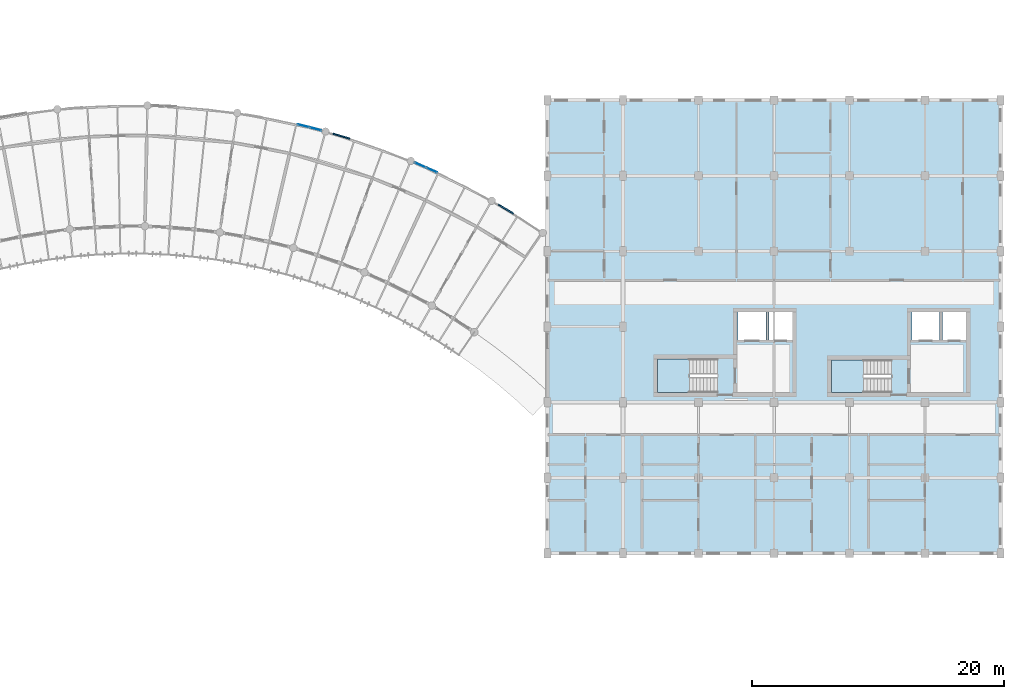
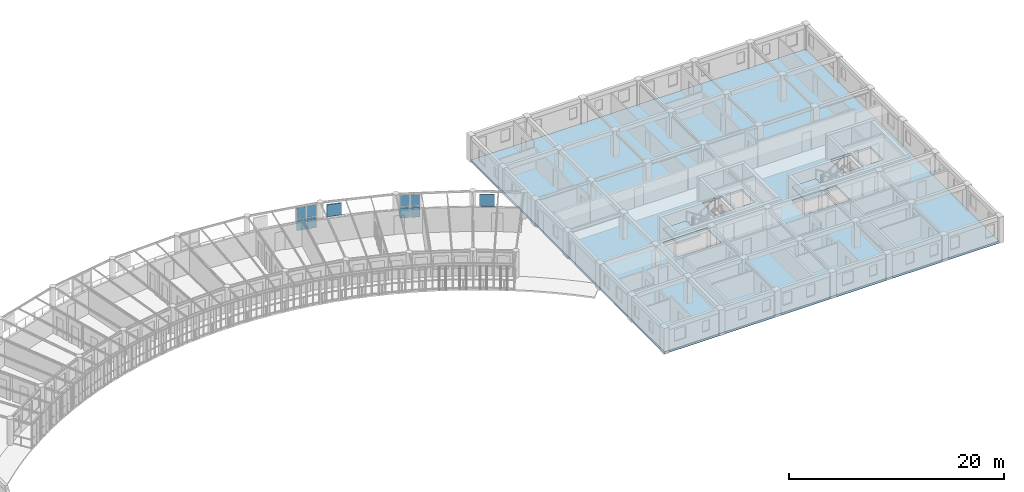
# One storey, part 51 of 100: 10 plates, 3 slabs, 4 elements without a shape of their own.
"""IFC4 building model written with IfcOpenShell, lengths in metres."""

from ifc_helpers import new_model, si_unit, direction, frame, origin, origin_2d, place, context, subcontext, project, spatial, polyline, rectangle, outline, extrude, material, layer, layer_set, type_object, element, aggregate, save


model = new_model("IFC4")

# Units and contexts
model_context = context("Model", 3, precision=1e-05, world=origin(), true_north=direction((0.0, 1.0)))
body_context = subcontext(model_context, "Body", "Model", "MODEL_VIEW")
ifc_project = project(units=[si_unit("LENGTHUNIT", "METRE"), si_unit("AREAUNIT", "SQUARE_METRE"), si_unit("VOLUMEUNIT", "CUBIC_METRE"), si_unit("PLANEANGLEUNIT", "RADIAN"), si_unit("MASSUNIT", "GRAM", prefix="KILO"), si_unit("POWERUNIT", "WATT"), si_unit("THERMODYNAMICTEMPERATUREUNIT", "KELVIN")], contexts=[model_context])

# Site, building, storey
site_placement = place(None, origin())
site = spatial("IfcSite", under=ifc_project, at=site_placement, CompositionType="ELEMENT")
building_placement = place(site_placement, origin())
building = spatial("IfcBuilding", under=site, at=building_placement, Name="Ruvembo Vaulted Housing Court", CompositionType="ELEMENT")
storey_placement = place(building_placement, frame((0.0, 0.0, 14.10009765625)))
storey = spatial("IfcBuildingStorey", under=building, at=storey_placement, Name="L04", CompositionType="ELEMENT", Elevation=14.10009765625)

# Curtain wall, plates
ifc_material_1 = material(Name="Anodised Aluminium and Solar-Control Glass", Category="aluminium")
ifc_layer_1 = layer(ifc_material_1, 0.139892578125, Name="Anodised Aluminium and Solar-Control Glass")
ifc_layer_set_1 = layer_set([ifc_layer_1], Name="Anodised Aluminium and Solar-Control Glass")
curtain_wall_type = type_object("IfcCurtainWallType", Name="CW-SCOOP-PAN", PredefinedType="NOTDEFINED", material=ifc_layer_set_1)
curtain_wall_1_placement = place(storey_placement, origin())
curtain_wall_1 = element("IfcCurtainWall", 1, at=curtain_wall_1_placement, inside=storey, type_object=curtain_wall_type, Name="L04 Curtain Wall CW-L04-0081", PredefinedType="NOTDEFINED")
ifc_material_2 = material(Name="Solar-Control Laminated Insulating Glass", Category="glass")
ifc_layer_2 = layer(ifc_material_2, 0.035888671875, Name="Solar-Control Laminated Insulating Glass")
ifc_layer_set_2 = layer_set([ifc_layer_2], Name="Solar-Control Laminated Insulating Glass")
plate_type_1 = type_object("IfcPlateType", Name="CW-PANEL-ACOUST", PredefinedType="CURTAIN_PANEL", material=ifc_layer_set_2)
plate_1_placement = place(storey_placement, frame((130.593994140625, 105.963623046875, 0.06005859375), z_axis=(0.0, 0.0, 1.0), x_axis=(0.969139966406, -0.246511106269, 0.0)))
plate_1 = element("IfcPlate", 2, at=plate_1_placement, type_object=plate_type_1, Name="CW10 panel 1.1", PredefinedType="CURTAIN_PANEL", context=body_context, shape_type="SweptSolid", body=[
    extrude(rectangle(XDim=0.930419921875, YDim=0.035888671875, at=origin_2d()), origin(), (0.0, 0.0, 1.0), 1.259033203125),
])
plate_2_placement = place(storey_placement, frame((130.593994140625, 105.963623046875, 1.37890625), z_axis=(0.0, 0.0, 1.0), x_axis=(0.969139966406, -0.246511106269, 0.0)))
plate_2 = element("IfcPlate", 3, at=plate_2_placement, type_object=plate_type_1, Name="CW10 panel 1.2", PredefinedType="CURTAIN_PANEL", context=body_context, shape_type="SweptSolid", body=[
    extrude(rectangle(XDim=0.930419921875, YDim=0.035888671875, at=origin_2d()), origin(), (0.0, 0.0, 1.0), 1.259033203125),
])
plate_3_placement = place(storey_placement, frame((131.553955078125, 105.719482421875, 0.06005859375), z_axis=(0.0, 0.0, 1.0), x_axis=(0.969139966406, -0.246511106269, 0.0)))
plate_3 = element("IfcPlate", 4, at=plate_3_placement, type_object=plate_type_1, Name="CW10 panel 2.1", PredefinedType="CURTAIN_PANEL", context=body_context, shape_type="SweptSolid", body=[
    extrude(rectangle(XDim=0.930419921875, YDim=0.035888671875, at=origin_2d()), origin(), (0.0, 0.0, 1.0), 1.259033203125),
])
plate_4_placement = place(storey_placement, frame((131.553955078125, 105.719482421875, 1.37890625), z_axis=(0.0, 0.0, 1.0), x_axis=(0.969139966406, -0.246511106269, 0.0)))
plate_4 = element("IfcPlate", 5, at=plate_4_placement, type_object=plate_type_1, Name="CW10 panel 2.2", PredefinedType="CURTAIN_PANEL", context=body_context, shape_type="SweptSolid", body=[
    extrude(rectangle(XDim=0.930419921875, YDim=0.035888671875, at=origin_2d()), origin(), (0.0, 0.0, 1.0), 1.259033203125),
])
aggregate(curtain_wall_1, [plate_1, plate_2, plate_3, plate_4])

curtain_wall_2_placement = place(storey_placement, origin())
curtain_wall_2 = element("IfcCurtainWall", 6, at=curtain_wall_2_placement, inside=storey, type_object=curtain_wall_type, Name="L04 Curtain Wall CW-L04-0082", PredefinedType="NOTDEFINED")
ifc_layer_3 = layer(ifc_material_2, 0.031982421875, Name="Solar-Control Laminated Insulating Glass")
ifc_layer_set_3 = layer_set([ifc_layer_3], Name="Solar-Control Laminated Insulating Glass")
plate_type_2 = type_object("IfcPlateType", Name="CW-PANEL-SOLAR", PredefinedType="CURTAIN_PANEL", material=ifc_layer_set_3)
plate_5_placement = place(storey_placement, frame((139.88671875, 102.845703125, 0.06494140625), z_axis=(0.0, 0.0, 1.0), x_axis=(0.915080056505, -0.403272228386, 0.0)))
plate_5 = element("IfcPlate", 7, at=plate_5_placement, type_object=plate_type_2, Name="CW10 panel 1.1", PredefinedType="CURTAIN_PANEL", context=body_context, shape_type="SweptSolid", body=[
    extrude(rectangle(XDim=0.9228515625, YDim=0.031982421875, at=origin_2d()), origin(), (0.0, 0.0, 1.0), 1.25146484375),
])
plate_6_placement = place(storey_placement, frame((139.88671875, 102.845703125, 1.38134765625), z_axis=(0.0, 0.0, 1.0), x_axis=(0.915080056505, -0.403272228386, 0.0)))
plate_6 = element("IfcPlate", 8, at=plate_6_placement, type_object=plate_type_2, Name="CW10 panel 1.2", PredefinedType="CURTAIN_PANEL", context=body_context, shape_type="SweptSolid", body=[
    extrude(rectangle(XDim=0.9228515625, YDim=0.031982421875, at=origin_2d()), origin(), (0.0, 0.0, 1.0), 1.25146484375),
])
plate_7_placement = place(storey_placement, frame((140.790771484375, 102.447265625, 0.06494140625), z_axis=(0.0, 0.0, 1.0), x_axis=(0.915080056505, -0.403272228386, 0.0)))
plate_7 = element("IfcPlate", 9, at=plate_7_placement, type_object=plate_type_2, Name="CW10 panel 2.1", PredefinedType="CURTAIN_PANEL", context=body_context, shape_type="SweptSolid", body=[
    extrude(rectangle(XDim=0.9228515625, YDim=0.031982421875, at=origin_2d()), origin(), (0.0, 0.0, 1.0), 1.25146484375),
])
plate_8_placement = place(storey_placement, frame((140.790771484375, 102.447265625, 1.38134765625), z_axis=(0.0, 0.0, 1.0), x_axis=(0.915080056505, -0.403272228386, 0.0)))
plate_8 = element("IfcPlate", 10, at=plate_8_placement, type_object=plate_type_2, Name="CW10 panel 2.2", PredefinedType="CURTAIN_PANEL", context=body_context, shape_type="SweptSolid", body=[
    extrude(rectangle(XDim=0.9228515625, YDim=0.031982421875, at=origin_2d()), origin(), (0.0, 0.0, 1.0), 1.25146484375),
])
aggregate(curtain_wall_2, [plate_5, plate_6, plate_7, plate_8])

# Plates
ifc_material_3 = material(Name="Perforated Glazed Ceramic Cobogo Block", Category="ceramic")
ifc_layer_4 = layer(ifc_material_3, 0.1201171875, Name="Perforated Glazed Ceramic Cobogo Block")
ifc_layer_set_4 = layer_set([ifc_layer_4], Name="Perforated Glazed Ceramic Cobogo Block")
plate_type_3 = type_object("IfcPlateType", Name="PL-COBOGO-120", PredefinedType="USERDEFINED", material=ifc_layer_set_4)
for number, where, z_axis, x_axis, name in (
    (11, (133.61865234375, 105.1376953125, 1.11962890625), (0.0, 0.0, 1.0), (0.958077900113, -0.286507831158, 0.0), "Scoop SC3 L04 Ceramic Cobogo Screen #101"),
    (12, (146.697265625, 99.340087890625, 1.11962890625), (0.0, 0.0, 1.0), (0.857894561819, -0.513825768915, 0.0), "Scoop SC3 L04 Ceramic Cobogo Screen #102"),
):
    element("IfcPlate", number, at=place(storey_placement, frame(where, z_axis=z_axis, x_axis=x_axis)), inside=storey, type_object=plate_type_3, Name=name, ObjectType="COBOGO_PANEL", PredefinedType="USERDEFINED", context=body_context, shape_type="SweptSolid", body=[
        extrude(rectangle(XDim=1.39990234375, YDim=0.1201171875, at=origin_2d()), origin(), (0.0, 0.0, 1.0), 1.360107421875),
    ])

# Slab
ifc_material_4 = material(Name="Concrete C30/37", Category="concrete")
ifc_layer_5 = layer(ifc_material_4, 0.239990234375, Name="Concrete C30/37")
ifc_layer_set_5 = layer_set([ifc_layer_5], Name="Concrete C30/37")
slab_type_1 = type_object("IfcSlabType", Name="SL-FLR-240", PredefinedType="FLOOR", material=ifc_layer_set_5)
slab_1_placement = place(storey_placement, frame((0.0, 0.0, -0.239990234375)))
element("IfcSlab", 13, at=slab_1_placement, inside=storey, type_object=slab_type_1, Name="Block D L04 Structural Floor Slab", PredefinedType="FLOOR", context=body_context, shape_type="SweptSolid", body=[
    extrude(outline(polyline([(186.0, 72.0), (186.0, 108.0), (150.0, 108.0), (150.0, 72.0), (186.0, 72.0)]), holes=[polyline([(163.5, 87.449951171875), (158.75, 87.449951171875), (158.75, 84.75), (163.5, 84.75), (163.5, 87.449951171875)]), polyline([(165.14990234375, 88.85009765625), (167.35009765625, 88.85009765625), (167.35009765625, 91.25), (165.14990234375, 91.25), (165.14990234375, 88.85009765625)]), polyline([(167.60009765625, 88.85009765625), (169.449951171875, 88.85009765625), (169.449951171875, 91.25), (167.60009765625, 91.25), (167.60009765625, 88.85009765625)]), polyline([(177.35009765625, 87.35009765625), (172.550048828125, 87.35009765625), (172.550048828125, 84.75), (177.35009765625, 84.75), (177.35009765625, 87.35009765625)]), polyline([(178.949951171875, 88.85009765625), (181.14990234375, 88.85009765625), (181.14990234375, 91.25), (178.949951171875, 91.25), (178.949951171875, 88.85009765625)]), polyline([(181.39990234375, 88.85009765625), (183.25, 88.85009765625), (183.25, 91.25), (181.39990234375, 91.25), (181.39990234375, 88.85009765625)])]), origin(), (0.0, 0.0, 1.0), 0.239990234375),
])

# Stair, slab
ifc_material_5 = material(Name="Concrete C35/45", Category="concrete")
stair_type_1 = type_object("IfcStairType", Name="STR-CORE-1250", PredefinedType="HALF_TURN_STAIR", material=ifc_material_5)
stair_1_placement = place(storey_placement, origin())
stair_1 = element("IfcStair", 14, at=stair_1_placement, inside=storey, type_object=stair_type_1, Name="L04 Protected Exit Stair ST-D1", PredefinedType="HALF_TURN_STAIR")
ifc_layer_6 = layer(ifc_material_4, 0.201904296875, Name="Concrete C30/37")
ifc_layer_set_6 = layer_set([ifc_layer_6], Name="Concrete C30/37")
slab_type_2 = type_object("IfcSlabType", Name="SL-LAND-202", PredefinedType="LANDING", material=ifc_layer_set_6)
slab_2_placement = place(storey_placement, frame((0.0, 0.0, 1.39990234375)))
slab_2 = element("IfcSlab", 15, at=slab_2_placement, type_object=slab_type_2, Name="ST-D1 landing 1", PredefinedType="LANDING", context=body_context, shape_type="SweptSolid", body=[
    extrude(outline(polyline([(161.260009765625, 87.449951171875), (158.75, 87.449951171875), (158.75, 84.75), (161.260009765625, 84.75), (161.260009765625, 87.449951171875)])), origin(), (0.0, 0.0, 1.0), 0.199951171875),
])
aggregate(stair_1, [slab_2])

stair_type_2 = type_object("IfcStairType", Name="STR-CORE-1200", PredefinedType="HALF_TURN_STAIR", material=ifc_material_5)
stair_2_placement = place(storey_placement, origin())
stair_2 = element("IfcStair", 16, at=stair_2_placement, inside=storey, type_object=stair_type_2, Name="L04 Protected Exit Stair ST-D2", PredefinedType="HALF_TURN_STAIR")
slab_3_placement = place(storey_placement, frame((0.0, 0.0, 1.39990234375)))
slab_3 = element("IfcSlab", 17, at=slab_3_placement, type_object=slab_type_2, Name="ST-D2 landing 1", PredefinedType="LANDING", context=body_context, shape_type="SweptSolid", body=[
    extrude(outline(polyline([(175.110107421875, 87.35009765625), (172.550048828125, 87.35009765625), (172.550048828125, 84.75), (175.110107421875, 84.75), (175.110107421875, 87.35009765625)])), origin(), (0.0, 0.0, 1.0), 0.199951171875),
])
aggregate(stair_2, [slab_3])

save(model, "model.ifc")
